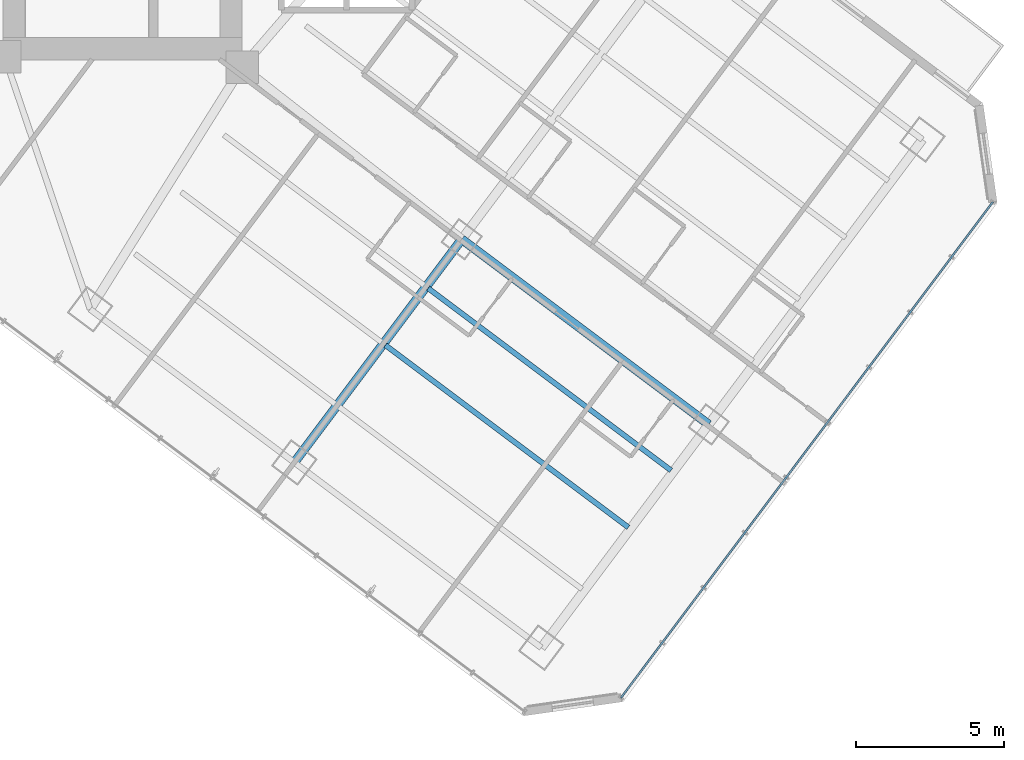
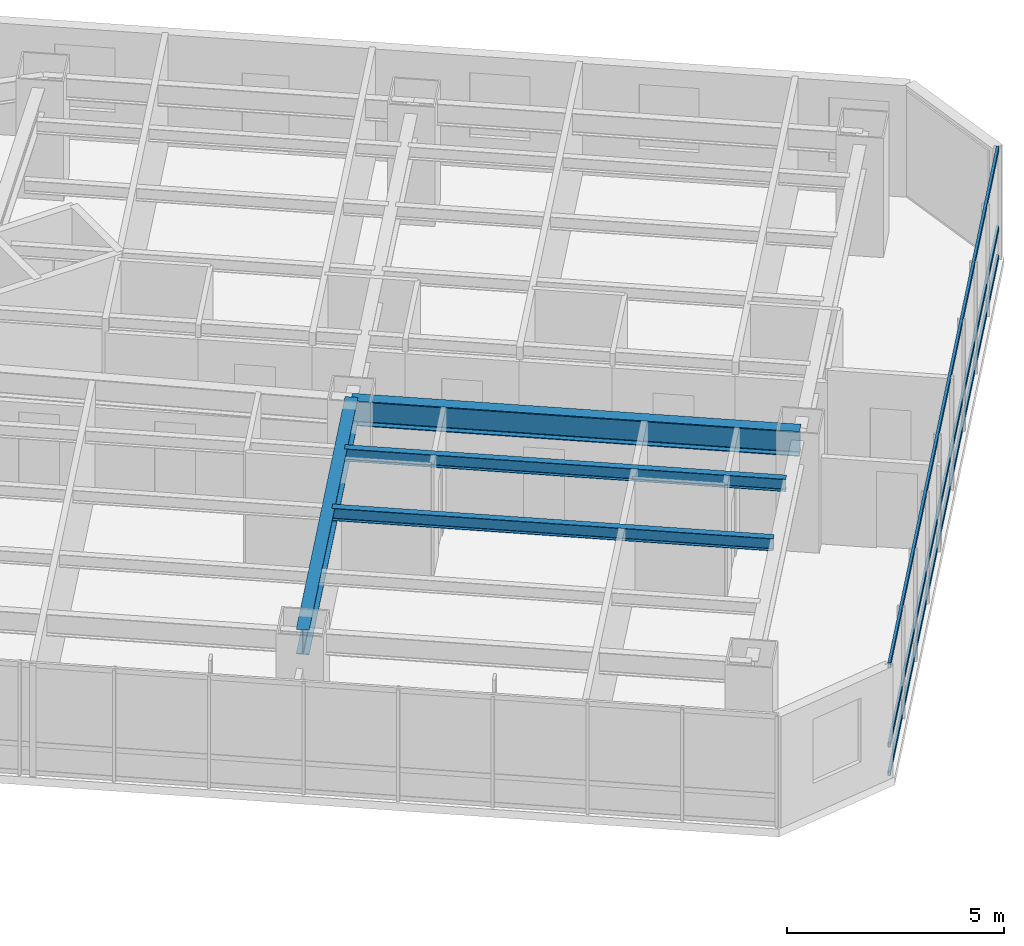
# One storey, part 15 of 38: 4 beams, 3 members, 1 element without a shape of its own.
"""IFC4 building model written with IfcOpenShell, lengths in metres."""

from ifc_helpers import new_model, si_unit, direction, frame, origin, origin_2d, place, context, subcontext, project, spatial, hollow_rectangle, i_section, extrude, material, layer, layer_set, material_profile, profile_set, type_object, element, aggregate, save


model = new_model("IFC4")

# Units and contexts
model_context = context("Model", 3, precision=1e-05, world=origin(), true_north=direction((0.0, 1.0)))
body_context = subcontext(model_context, "Body", "Model", "MODEL_VIEW")
ifc_project = project(units=[si_unit("LENGTHUNIT", "METRE"), si_unit("AREAUNIT", "SQUARE_METRE"), si_unit("VOLUMEUNIT", "CUBIC_METRE"), si_unit("PLANEANGLEUNIT", "RADIAN"), si_unit("MASSUNIT", "GRAM", prefix="KILO")], contexts=[model_context])

# Site, building, storey
site_placement = place(None, origin())
site = spatial("IfcSite", under=ifc_project, at=site_placement, CompositionType="ELEMENT")
building_placement = place(site_placement, origin())
building = spatial("IfcBuilding", under=site, at=building_placement, Name="Hatsunagi Terrace Concourse", CompositionType="ELEMENT")
storey_placement = place(building_placement, frame((0.0, 0.0, 63.39990234375)))
storey = spatial("IfcBuildingStorey", under=building, at=storey_placement, Name="L16", CompositionType="ELEMENT", Elevation=63.39990234375)

# Curtain wall, members
ifc_material_1 = material(Name="Anodised Aluminium Alloy 6063-T5", Category="aluminium")
ifc_layer = layer(ifc_material_1, 0.199951171875)
ifc_layer_set = layer_set([ifc_layer], Name="HotelFacade_CW02")
curtain_wall_type = type_object("IfcCurtainWallType", Name="HotelFacade_CW02", PredefinedType="NOTDEFINED", material=ifc_layer_set)
curtain_wall_placement = place(storey_placement, origin())
curtain_wall = element("IfcCurtainWall", 1, at=curtain_wall_placement, inside=storey, type_object=curtain_wall_type, Name="Unitised Curtain Wall CW-02 CW-L16-03", PredefinedType="NOTDEFINED")
ifc_material_2 = material(Name="Anodised Aluminium Alloy 6063-T5", Category="aluminium")
ifc_material_profile_1 = material_profile(ifc_material_2, hollow_rectangle(XDim=0.06494140625, YDim=0.139892578125, WallThickness=0.00390625, at=origin_2d()), Name="ALU-TRN-140x65x4")
ifc_profile_set_1 = profile_set([ifc_material_profile_1], Name="Anodised Aluminium Alloy 6063-T5")
member_type = type_object("IfcMemberType", Name="CurtainWallTransom_140x65", PredefinedType="USERDEFINED", material=ifc_profile_set_1)
member_1_placement = place(storey_placement, frame((69.093017578125, 19.657958984375, 0.050048828125), z_axis=(-0.599970072971, -0.800022444397, 0.0), x_axis=(0.800022444397, -0.599970072971, 0.0)))
member_1 = element("IfcMember", 2, at=member_1_placement, type_object=member_type, Name="Curtain Wall Transom TRN-02", ObjectType="TRANSOM", PredefinedType="USERDEFINED", context=body_context, shape_type="SweptSolid", body=[
    extrude(hollow_rectangle(XDim=0.06494140625, YDim=0.139892578125, WallThickness=0.00390625, at=origin_2d()), origin(), (0.0, 0.0, 1.0), 20.884521484375),
])
member_2_placement = place(storey_placement, frame((69.093017578125, 19.657958984375, 0.85009765625), z_axis=(-0.599970072971, -0.800022444397, 0.0), x_axis=(0.800022444397, -0.599970072971, 0.0)))
member_2 = element("IfcMember", 3, at=member_2_placement, type_object=member_type, Name="Curtain Wall Transom TRN-02", ObjectType="TRANSOM", PredefinedType="USERDEFINED", context=body_context, shape_type="SweptSolid", body=[
    extrude(hollow_rectangle(XDim=0.06494140625, YDim=0.139892578125, WallThickness=0.00390625, at=origin_2d()), origin(), (0.0, 0.0, 1.0), 20.884521484375),
])
member_3_placement = place(storey_placement, frame((69.093017578125, 19.657958984375, 3.080078125), z_axis=(-0.599970072971, -0.800022444397, 0.0), x_axis=(0.800022444397, -0.599970072971, 0.0)))
member_3 = element("IfcMember", 4, at=member_3_placement, type_object=member_type, Name="Curtain Wall Transom TRN-02", ObjectType="TRANSOM", PredefinedType="USERDEFINED", context=body_context, shape_type="SweptSolid", body=[
    extrude(hollow_rectangle(XDim=0.06494140625, YDim=0.139892578125, WallThickness=0.00390625, at=origin_2d()), origin(), (0.0, 0.0, 1.0), 20.884521484375),
])
aggregate(curtain_wall, [member_1, member_2, member_3])

# Beams
ifc_material_3 = material(Name="Steel SN490B", Category="steel")
ifc_material_profile_2 = material_profile(ifc_material_3, i_section(OverallWidth=0.300048828125, OverallDepth=0.699951171875, WebThickness=0.012939453125, FlangeThickness=0.02392578125, FilletRadius=0.02197265625, at=origin_2d()), Name="H-700x300x13x24")
ifc_profile_set_2 = profile_set([ifc_material_profile_2], Name="Steel SN490B")
beam_type_1 = type_object("IfcBeamType", Name="HotelFloorGirder_H_700x300", PredefinedType="BEAM", material=ifc_profile_set_2)
beam_1_placement = place(storey_placement, frame((45.56005859375, 10.8798828125, 2.780029296875), z_axis=(0.599991688754, 0.800006233367, 0.0), x_axis=(-0.800006233367, 0.599991688754, 0.0)))
element("IfcBeam", 5, at=beam_1_placement, inside=storey, type_object=beam_type_1, Name="Beam G-04 BM-L16-SET-2A", PredefinedType="BEAM", context=body_context, shape_type="SweptSolid", body=[
    extrude(i_section(OverallWidth=0.300048828125, OverallDepth=0.699951171875, WebThickness=0.012939453125, FlangeThickness=0.02392578125, FilletRadius=0.02197265625, at=origin_2d()), origin(), (0.0, 0.0, 1.0), 9.39990234375),
])
beam_2_placement = place(storey_placement, frame((51.199951171875, 18.39990234375, 2.780029296875), z_axis=(0.800002816985, -0.599996244001, 0.0), x_axis=(0.599996244001, 0.800002816985, 0.0)))
element("IfcBeam", 6, at=beam_2_placement, inside=storey, type_object=beam_type_1, Name="Beam G-04 BM-L16-SE-M3", PredefinedType="BEAM", context=body_context, shape_type="SweptSolid", body=[
    extrude(i_section(OverallWidth=0.300048828125, OverallDepth=0.699951171875, WebThickness=0.012939453125, FlangeThickness=0.02392578125, FilletRadius=0.02197265625, at=origin_2d()), origin(), (0.0, 0.0, 1.0), 10.400146484375),
])
ifc_material_4 = material(Name="Steel SN490B", Category="steel")
ifc_material_profile_3 = material_profile(ifc_material_4, i_section(OverallWidth=0.175048828125, OverallDepth=0.35009765625, WebThickness=0.007080078125, FlangeThickness=0.010986328125, FilletRadius=0.012939453125, at=origin_2d()), Name="H-350x175x7x11")
ifc_profile_set_3 = profile_set([ifc_material_profile_3], Name="Steel SN490B")
beam_type_2 = type_object("IfcBeamType", Name="HotelJoist_H_350x175", PredefinedType="JOIST", material=ifc_profile_set_3)
beam_3_placement = place(storey_placement, frame((48.6279296875, 14.8291015625, 2.955078125), z_axis=(0.799994272423, -0.600007636694, 0.0), x_axis=(0.600007636694, 0.799994272423, 0.0)))
element("IfcBeam", 7, at=beam_3_placement, inside=storey, type_object=beam_type_2, Name="Beam J-02 J-L16-SE-3-72", PredefinedType="JOIST", context=body_context, shape_type="SweptSolid", body=[
    extrude(i_section(OverallWidth=0.175048828125, OverallDepth=0.35009765625, WebThickness=0.007080078125, FlangeThickness=0.010986328125, FilletRadius=0.012939453125, at=origin_2d()), origin(), (0.0, 0.0, 1.0), 10.230224609375),
])
beam_4_placement = place(storey_placement, frame((50.068115234375, 16.7490234375, 2.955078125), z_axis=(0.799997136125, -0.600003818481, 0.0), x_axis=(0.600003818481, 0.799997136125, 0.0)))
element("IfcBeam", 8, at=beam_4_placement, inside=storey, type_object=beam_type_2, Name="Beam J-02 J-L16-SE-3-96", PredefinedType="JOIST", context=body_context, shape_type="SweptSolid", body=[
    extrude(i_section(OverallWidth=0.175048828125, OverallDepth=0.35009765625, WebThickness=0.007080078125, FlangeThickness=0.010986328125, FilletRadius=0.012939453125, at=origin_2d()), origin(), (0.0, 0.0, 1.0), 10.229736328125),
])

save(model, "model.ifc")
